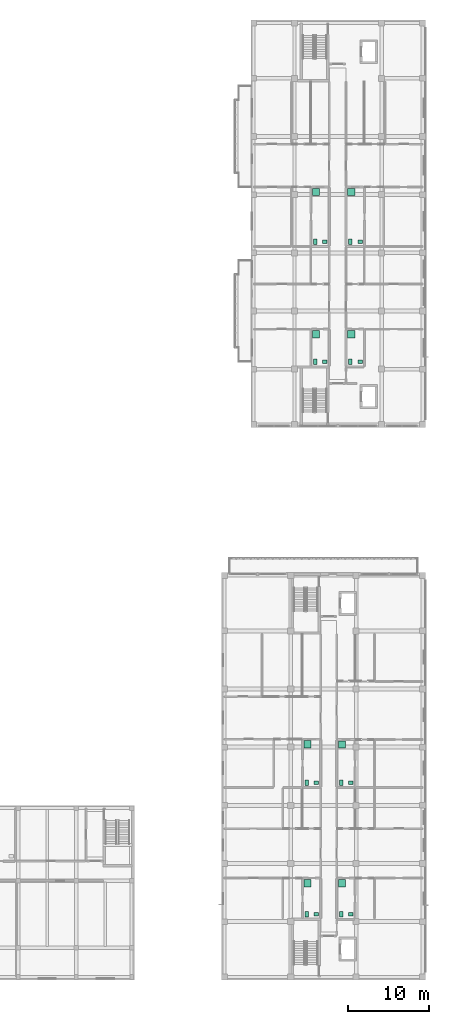
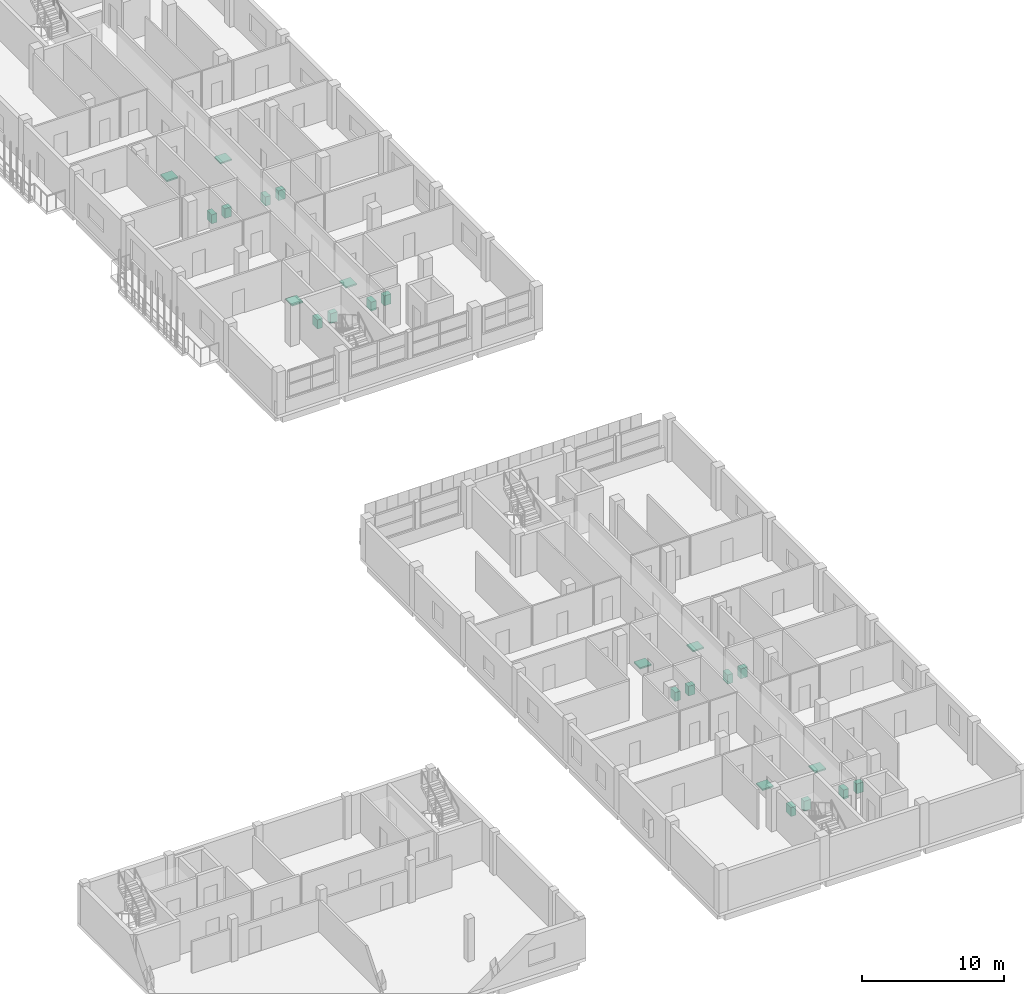
# One storey, part 73 of 73: 24 sanitary terminals.
"""IFC4 building model written with IfcOpenShell, lengths in metres."""

from ifc_helpers import new_model, si_unit, derived_unit, direction, frame, origin, origin_2d, place, context, subcontext, project, spatial, rectangle, extrude, material, type_object, element, save


model = new_model("IFC4")

# Units and contexts
model_context = context("Model", 3, precision=1e-05, world=origin(), true_north=direction((0.0, 1.0)))
body_context = subcontext(model_context, "Body", "Model", "MODEL_VIEW")
ifc_project = project(units=[si_unit("LENGTHUNIT", "METRE"), si_unit("AREAUNIT", "SQUARE_METRE"), si_unit("VOLUMEUNIT", "CUBIC_METRE"), si_unit("PLANEANGLEUNIT", "RADIAN"), si_unit("MASSUNIT", "GRAM", prefix="KILO"), derived_unit("THERMALTRANSMITTANCEUNIT", [(si_unit("MASSUNIT", "GRAM", prefix="KILO"), 1), (si_unit("TIMEUNIT", "SECOND"), -3), (si_unit("THERMODYNAMICTEMPERATUREUNIT", "KELVIN"), -1)])], contexts=[model_context])

# Site, building, storey
site_placement = place(None, origin())
site = spatial("IfcSite", under=ifc_project, at=site_placement, CompositionType="ELEMENT")
building_placement = place(site_placement, origin())
building = spatial("IfcBuilding", under=site, at=building_placement, Name="Ochrekiln Boulevard Commons", CompositionType="ELEMENT")
storey_placement = place(building_placement, frame((0.0, 0.0, 4.89990234375)))
storey = spatial("IfcBuildingStorey", under=building, at=storey_placement, Name="L01", CompositionType="ELEMENT", Elevation=4.89990234375)

# Sanitary terminals
ifc_material = material(Name="Vitreous china sanitaryware")
sanitary_terminal_type_1 = type_object("IfcSanitaryTerminalType", Name="SAN-BAS", PredefinedType="WASHHANDBASIN", material=ifc_material)
for number, where, z_axis, x_axis, name in (
    (1, (160.3701171875, 76.5, 0.0), (0.0, 0.0, 1.0), (1.0, 0.0, 0.0), "L01 Washhand Basin Fixture"),
    (2, (160.3701171875, 91.3740234375, 0.0), (0.0, 0.0, 1.0), (1.0, 0.0, 0.0), "L01 Washhand Basin Fixture"),
    (3, (164.72998046875, 76.5, 0.0), (0.0, 0.0, 1.0), (1.0, 0.0, 0.0), "L01 Washhand Basin Fixture"),
    (4, (164.72998046875, 91.3740234375, 0.0), (0.0, 0.0, 1.0), (1.0, 0.0, 0.0), "L01 Washhand Basin Fixture"),
    (5, (159.320068359375, 8.10009765625, 0.0), (0.0, 0.0, 1.0), (1.0, 0.0, 0.0), "L01 Washhand Basin Fixture"),
    (6, (159.320068359375, 24.382080078125, 0.0), (0.0, 0.0, 1.0), (1.0, 0.0, 0.0), "L01 Washhand Basin Fixture"),
    (7, (163.580078125, 8.10009765625, 0.0), (0.0, 0.0, 1.0), (1.0, 0.0, 0.0), "L01 Washhand Basin Fixture"),
    (8, (163.580078125, 24.382080078125, 0.0), (0.0, 0.0, 1.0), (1.0, 0.0, 0.0), "L01 Washhand Basin Fixture"),
):
    element("IfcSanitaryTerminal", number, at=place(storey_placement, frame(where, z_axis=z_axis, x_axis=x_axis)), inside=storey, type_object=sanitary_terminal_type_1, Name=name, PredefinedType="WASHHANDBASIN", context=body_context, shape_type="SweptSolid", body=[
        extrude(rectangle(XDim=0.550048828125, YDim=0.4599609375, at=origin_2d()), origin(), (0.0, 0.0, 1.0), 0.840087890625),
    ])
sanitary_terminal_type_2 = type_object("IfcSanitaryTerminalType", Name="SAN-SHW", PredefinedType="SHOWER", material=ifc_material)
for number, where, z_axis, x_axis, name in (
    (9, (159.27001953125, 79.925048828125, 0.0), (0.0, 0.0, 1.0), (1.0, 0.0, 0.0), "L01 Shower Receptor"),
    (10, (159.27001953125, 97.52001953125, 0.0), (0.0, 0.0, 1.0), (1.0, 0.0, 0.0), "L01 Shower Receptor"),
    (11, (163.6298828125, 79.925048828125, 0.0), (0.0, 0.0, 1.0), (1.0, 0.0, 0.0), "L01 Shower Receptor"),
    (12, (163.6298828125, 97.52001953125, 0.0), (0.0, 0.0, 1.0), (1.0, 0.0, 0.0), "L01 Shower Receptor"),
    (13, (158.219970703125, 11.9619140625, 0.0), (0.0, 0.0, 1.0), (1.0, 0.0, 0.0), "L01 Shower Receptor"),
    (14, (158.219970703125, 29.162109375, 0.0), (0.0, 0.0, 1.0), (1.0, 0.0, 0.0), "L01 Shower Receptor"),
    (15, (162.47998046875, 11.9619140625, 0.0), (0.0, 0.0, 1.0), (1.0, 0.0, 0.0), "L01 Shower Receptor"),
    (16, (162.47998046875, 29.116943359375, 0.0), (0.0, 0.0, 1.0), (1.0, 0.0, 0.0), "L01 Shower Receptor"),
):
    element("IfcSanitaryTerminal", number, at=place(storey_placement, frame(where, z_axis=z_axis, x_axis=x_axis)), inside=storey, type_object=sanitary_terminal_type_2, Name=name, PredefinedType="SHOWER", context=body_context, shape_type="SweptSolid", body=[
        extrude(rectangle(XDim=0.89990234375, YDim=0.89990234375, at=origin_2d()), origin(), (0.0, 0.0, 1.0), 0.1201171875),
    ])
sanitary_terminal_type_3 = type_object("IfcSanitaryTerminalType", Name="SAN-WC", PredefinedType="TOILETPAN", material=ifc_material)
for number, where, z_axis, x_axis, name in (
    (17, (159.169921875, 76.5, 0.0), (0.0, 0.0, 1.0), (1.0, 0.0, 0.0), "L01 Water Closet Fixture"),
    (18, (159.169921875, 91.3740234375, 0.0), (0.0, 0.0, 1.0), (1.0, 0.0, 0.0), "L01 Water Closet Fixture"),
    (19, (163.530029296875, 76.5, 0.0), (0.0, 0.0, 1.0), (1.0, 0.0, 0.0), "L01 Water Closet Fixture"),
    (20, (163.530029296875, 91.3740234375, 0.0), (0.0, 0.0, 1.0), (1.0, 0.0, 0.0), "L01 Water Closet Fixture"),
    (21, (158.1201171875, 8.10009765625, 0.0), (0.0, 0.0, 1.0), (1.0, 0.0, 0.0), "L01 Water Closet Fixture"),
    (22, (158.1201171875, 24.382080078125, 0.0), (0.0, 0.0, 1.0), (1.0, 0.0, 0.0), "L01 Water Closet Fixture"),
    (23, (162.3798828125, 8.10009765625, 0.0), (0.0, 0.0, 1.0), (1.0, 0.0, 0.0), "L01 Water Closet Fixture"),
    (24, (162.3798828125, 24.382080078125, 0.0), (0.0, 0.0, 1.0), (1.0, 0.0, 0.0), "L01 Water Closet Fixture"),
):
    element("IfcSanitaryTerminal", number, at=place(storey_placement, frame(where, z_axis=z_axis, x_axis=x_axis)), inside=storey, type_object=sanitary_terminal_type_3, Name=name, PredefinedType="TOILETPAN", context=body_context, shape_type="SweptSolid", body=[
        extrude(rectangle(XDim=0.419921875, YDim=0.679931640625, at=origin_2d()), origin(), (0.0, 0.0, 1.0), 0.780029296875),
    ])

save(model, "model.ifc")
